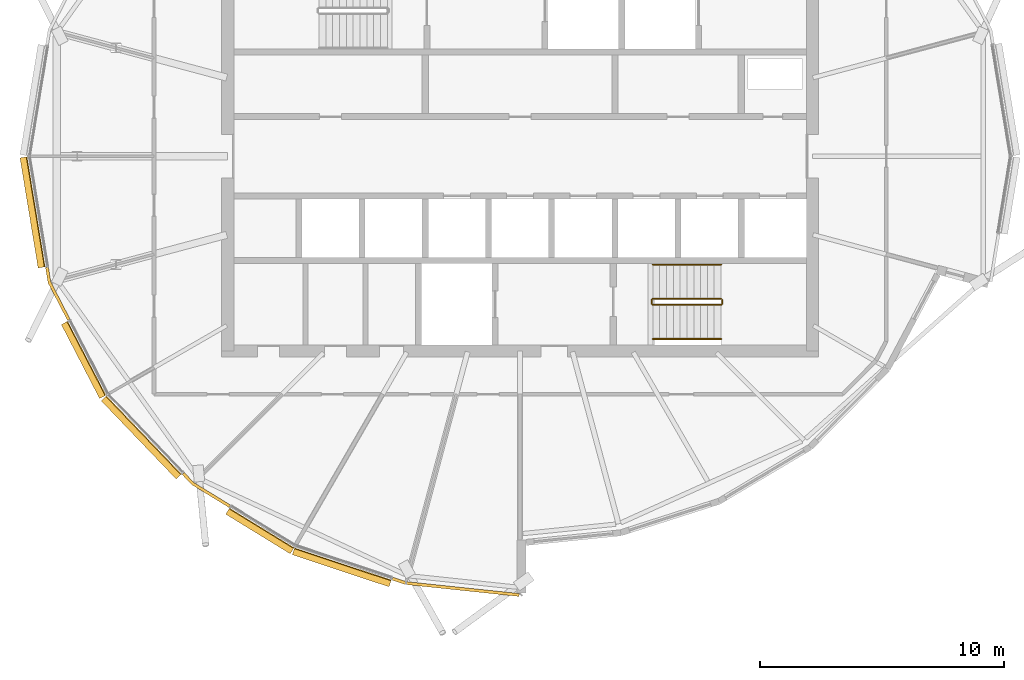
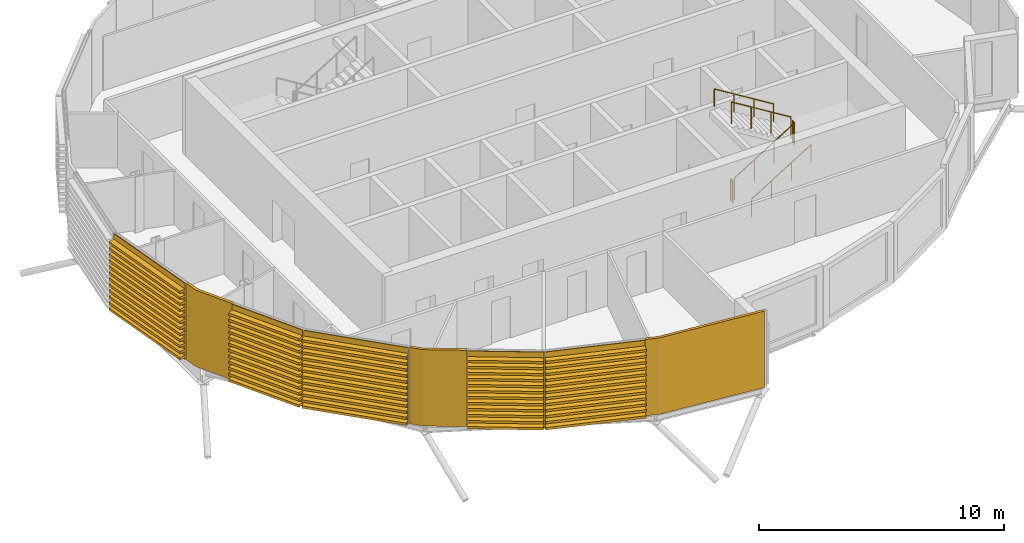
# One storey, part 30 of 34: 8 coverings, 6 railings.
"""IFC4 building model written with IfcOpenShell, lengths in metres."""

from ifc_helpers import new_model, si_unit, direction, frame, origin, origin_2d, place, context, subcontext, project, spatial, polyline, circle, outline, extrude, material, layer, layer_set, material_profile, profile_set, type_object, element, save


model = new_model("IFC4")

# Units and contexts
model_context = context("Model", 3, precision=1e-05, world=origin(), true_north=direction((0.0, 1.0)))
body_context = subcontext(model_context, "Body", "Model", "MODEL_VIEW")
ifc_project = project(units=[si_unit("LENGTHUNIT", "METRE"), si_unit("AREAUNIT", "SQUARE_METRE"), si_unit("VOLUMEUNIT", "CUBIC_METRE"), si_unit("PLANEANGLEUNIT", "RADIAN"), si_unit("MASSUNIT", "GRAM", prefix="KILO")], contexts=[model_context])

# Site, building, storey
site_placement = place(None, origin())
site = spatial("IfcSite", under=ifc_project, at=site_placement, CompositionType="ELEMENT")
building_placement = place(site_placement, origin())
building = spatial("IfcBuilding", under=site, at=building_placement, Name="Rimbun Link Towers", CompositionType="ELEMENT")
storey_placement = place(building_placement, frame((0.0, 0.0, 252.300048828125)))
storey = spatial("IfcBuildingStorey", under=building, at=storey_placement, Name="L62", CompositionType="ELEMENT", Elevation=252.300048828125)

# Coverings
ifc_material_1 = material(Name="Terracotta", Category="masonry")
ifc_layer = layer(ifc_material_1, 0.1201171875)
ifc_layer_set = layer_set([ifc_layer], Name="LINK PIER terracotta cladding 120")
covering_type_1 = type_object("IfcCoveringType", Name="LINK PIER terracotta cladding 120", PredefinedType="CLADDING", material=ifc_layer_set)
covering_1_placement = place(storey_placement, origin())
element("IfcCovering", 1, at=covering_1_placement, inside=storey, type_object=covering_type_1, Name="LINK PIER cladding", PredefinedType="CLADDING", context=body_context, shape_type="SweptSolid", body=[
    extrude(outline(polyline([(-50.21875, -6.688232421875), (-51.009033203125, -5.160400390625), (-51.109619140625, -4.548828125), (-51.22802734375, -4.568115234375), (-51.12451171875, -5.19873046875), (-50.3251953125, -6.7431640625), (-50.21875, -6.688232421875)])), origin(), (0.0, 0.0, 1.0), 3.800048828125),
])
covering_2_placement = place(storey_placement, origin())
element("IfcCovering", 2, at=covering_2_placement, inside=storey, type_object=covering_type_1, Name="LINK PIER cladding", PredefinedType="CLADDING", context=body_context, shape_type="SweptSolid", body=[
    extrude(outline(polyline([(-43.6337890625, -14.318115234375), (-45.14208984375, -13.39208984375), (-45.53662109375, -12.980712890625), (-45.623291015625, -13.063720703125), (-45.218017578125, -13.486328125), (-43.696533203125, -14.42041015625), (-43.6337890625, -14.318115234375)])), origin(), (0.0, 0.0, 1.0), 3.800048828125),
])
covering_3_placement = place(storey_placement, origin())
element("IfcCovering", 3, at=covering_3_placement, inside=storey, type_object=covering_type_1, Name="LINK PIER cladding", PredefinedType="CLADDING", context=body_context, shape_type="SweptSolid", body=[
    extrude(outline(polyline([(-31.77978515625, -17.9501953125), (-36.428466796875, -17.460693359375), (-36.969482421875, -17.28125), (-37.00732421875, -17.395263671875), (-36.453857421875, -17.57861328125), (-31.79248046875, -18.069580078125), (-31.77978515625, -17.9501953125)])), origin(), (0.0, 0.0, 1.0), 3.800048828125),
])

# Railings
ifc_material_2 = material(Name="Stainless steel grade 316", Category="steel")
railing_type_1 = type_object("IfcRailingType", Name="Stair guard", PredefinedType="GUARDRAIL", material=ifc_material_2)
railing_1_placement = place(storey_placement, frame((-26.300048828125, -6.10009765625, 0.172607421875)))
element("IfcRailing", 4, at=railing_1_placement, inside=storey, type_object=railing_type_1, Name="L62 ST2 stair guard 1", PredefinedType="GUARDRAIL", context=body_context, shape_type="SweptSolid", body=[
    extrude(circle(Radius=0.02392578125, at=origin_2d()), frame((0.0, 0.0, 1.076171875), z_axis=(0.851089632645, 0.0, 0.525020415988), x_axis=(0.0, 1.0, 0.0)), (0.0, 0.0, 1.0), 3.2900390625),
    extrude(circle(Radius=0.02099609375, at=origin_2d()), origin(), (0.0, 0.0, 1.0), 1.052001953125),
    extrude(circle(Radius=0.02099609375, at=origin_2d()), frame((0.933349609375, 0.0, 0.57568359375)), (0.0, 0.0, 1.0), 1.052001953125),
    extrude(circle(Radius=0.02099609375, at=origin_2d()), frame((1.86669921875, 0.0, 1.151611328125)), (0.0, 0.0, 1.0), 1.052001953125),
    extrude(circle(Radius=0.02099609375, at=origin_2d()), frame((2.800048828125, 0.0, 1.727294921875)), (0.0, 0.0, 1.0), 1.052001953125),
])
railing_2_placement = place(storey_placement, frame((-23.449951171875, -6.050048828125, 1.89990234375)))
element("IfcRailing", 5, at=railing_2_placement, inside=storey, type_object=railing_type_1, Name="L62 ST2 stair guard 2", PredefinedType="GUARDRAIL", context=body_context, shape_type="SweptSolid", body=[
    extrude(circle(Radius=0.02392578125, at=origin_2d()), frame((0.0, 0.0, 1.076171875), z_axis=(0.0, 1.0, 0.0), x_axis=(-1.0, 0.0, 0.0)), (0.0, 0.0, 1.0), 0.150146484375),
    extrude(circle(Radius=0.02099609375, at=origin_2d()), origin(), (0.0, 0.0, 1.0), 1.052001953125),
    extrude(circle(Radius=0.02099609375, at=origin_2d()), frame((0.0, 0.150146484375, 0.0)), (0.0, 0.0, 1.0), 1.052001953125),
])
railing_3_placement = place(storey_placement, frame((-23.5, -5.85009765625, 2.07275390625)))
element("IfcRailing", 6, at=railing_3_placement, inside=storey, type_object=railing_type_1, Name="L62 ST2 stair guard 3", PredefinedType="GUARDRAIL", context=body_context, shape_type="SweptSolid", body=[
    extrude(circle(Radius=0.02392578125, at=origin_2d()), frame((0.0, 0.0, 1.076171875), z_axis=(-0.851089632645, 0.0, 0.525020415988), x_axis=(0.0, -1.0, 0.0)), (0.0, 0.0, 1.0), 3.2900390625),
    extrude(circle(Radius=0.02099609375, at=origin_2d()), origin(), (0.0, 0.0, 1.0), 1.052001953125),
    extrude(circle(Radius=0.02099609375, at=origin_2d()), frame((-0.933349609375, 0.0, 0.57568359375)), (0.0, 0.0, 1.0), 1.052001953125),
    extrude(circle(Radius=0.02099609375, at=origin_2d()), frame((-1.86669921875, 0.0, 1.151611328125)), (0.0, 0.0, 1.0), 1.052001953125),
    extrude(circle(Radius=0.02099609375, at=origin_2d()), frame((-2.800048828125, 0.0, 1.727294921875)), (0.0, 0.0, 1.0), 1.052001953125),
])
railing_4_placement = place(storey_placement, frame((-26.35009765625, -6.050048828125, 0.0)))
element("IfcRailing", 7, at=railing_4_placement, inside=storey, type_object=railing_type_1, Name="L62 ST2 stair guard 4", PredefinedType="GUARDRAIL", context=body_context, shape_type="SweptSolid", body=[
    extrude(circle(Radius=0.02392578125, at=origin_2d()), frame((0.0, 0.0, 1.076171875), z_axis=(0.0, 1.0, 0.0), x_axis=(-1.0, 0.0, 0.0)), (0.0, 0.0, 1.0), 0.150146484375),
    extrude(circle(Radius=0.02099609375, at=origin_2d()), origin(), (0.0, 0.0, 1.0), 1.052001953125),
    extrude(circle(Radius=0.02099609375, at=origin_2d()), frame((0.0, 0.150146484375, 0.0)), (0.0, 0.0, 1.0), 1.052001953125),
])
ifc_material_3 = material(Name="Stainless steel grade 316", Category="steel")
railing_type_2 = type_object("IfcRailingType", Name="Stair handrail", PredefinedType="HANDRAIL", material=ifc_material_3)
railing_5_placement = place(storey_placement, frame((-26.300048828125, -7.5, 0.172607421875)))
element("IfcRailing", 8, at=railing_5_placement, inside=storey, type_object=railing_type_2, Name="L62 ST2 stair handrail 1", PredefinedType="HANDRAIL", context=body_context, shape_type="SweptSolid", body=[
    extrude(circle(Radius=0.02392578125, at=origin_2d()), frame((0.0, 0.0, 0.8759765625), z_axis=(0.851089632645, 0.0, 0.525020415988), x_axis=(0.0, 1.0, 0.0)), (0.0, 0.0, 1.0), 3.2900390625),
    extrude(circle(Radius=0.02099609375, at=origin_2d()), origin(), (0.0, 0.0, 1.0), 0.851806640625),
    extrude(circle(Radius=0.02099609375, at=origin_2d()), frame((0.933349609375, 0.0, 0.57568359375)), (0.0, 0.0, 1.0), 0.851806640625),
    extrude(circle(Radius=0.02099609375, at=origin_2d()), frame((1.86669921875, 0.0, 1.151611328125)), (0.0, 0.0, 1.0), 0.851806640625),
    extrude(circle(Radius=0.02099609375, at=origin_2d()), frame((2.800048828125, 0.0, 1.727294921875)), (0.0, 0.0, 1.0), 0.851806640625),
])
railing_6_placement = place(storey_placement, frame((-23.5, -4.449951171875, 2.07275390625)))
element("IfcRailing", 9, at=railing_6_placement, inside=storey, type_object=railing_type_2, Name="L62 ST2 stair handrail 2", PredefinedType="HANDRAIL", context=body_context, shape_type="SweptSolid", body=[
    extrude(circle(Radius=0.02392578125, at=origin_2d()), frame((0.0, 0.0, 0.8759765625), z_axis=(-0.851089632645, 0.0, 0.525020415988), x_axis=(0.0, -1.0, 0.0)), (0.0, 0.0, 1.0), 3.2900390625),
    extrude(circle(Radius=0.02099609375, at=origin_2d()), origin(), (0.0, 0.0, 1.0), 0.851806640625),
    extrude(circle(Radius=0.02099609375, at=origin_2d()), frame((-0.933349609375, 0.0, 0.57568359375)), (0.0, 0.0, 1.0), 0.851806640625),
    extrude(circle(Radius=0.02099609375, at=origin_2d()), frame((-1.86669921875, 0.0, 1.151611328125)), (0.0, 0.0, 1.0), 0.851806640625),
    extrude(circle(Radius=0.02099609375, at=origin_2d()), frame((-2.800048828125, 0.0, 1.727294921875)), (0.0, 0.0, 1.0), 0.851806640625),
])

# Coverings
ifc_material_4 = material(Name="Terracotta", Category="masonry")
ifc_material_profile = material_profile(ifc_material_4, outline(polyline([(0.123046875, 0.0), (0.1630859375, 0.0), (0.1630859375, 0.10009765625), (0.423095703125, 0.10009765625), (0.423095703125, 0.219970703125), (0.1630859375, 0.219970703125), (0.1630859375, 0.39990234375), (0.423095703125, 0.39990234375), (0.423095703125, 0.52001953125), (0.1630859375, 0.52001953125), (0.1630859375, 0.699951171875), (0.423095703125, 0.699951171875), (0.423095703125, 0.820068359375), (0.1630859375, 0.820068359375), (0.1630859375, 1.0), (0.423095703125, 1.0), (0.423095703125, 1.1201171875), (0.1630859375, 1.1201171875), (0.1630859375, 1.300048828125), (0.423095703125, 1.300048828125), (0.423095703125, 1.419921875), (0.1630859375, 1.419921875), (0.1630859375, 1.60009765625), (0.423095703125, 1.60009765625), (0.423095703125, 1.719970703125), (0.1630859375, 1.719970703125), (0.1630859375, 1.89990234375), (0.423095703125, 1.89990234375), (0.423095703125, 2.02001953125), (0.1630859375, 2.02001953125), (0.1630859375, 2.199951171875), (0.423095703125, 2.199951171875), (0.423095703125, 2.320068359375), (0.1630859375, 2.320068359375), (0.1630859375, 2.5), (0.423095703125, 2.5), (0.423095703125, 2.6201171875), (0.1630859375, 2.6201171875), (0.1630859375, 2.800048828125), (0.423095703125, 2.800048828125), (0.423095703125, 2.919921875), (0.1630859375, 2.919921875), (0.1630859375, 3.10009765625), (0.423095703125, 3.10009765625), (0.423095703125, 3.219970703125), (0.1630859375, 3.219970703125), (0.1630859375, 3.39990234375), (0.423095703125, 3.39990234375), (0.423095703125, 3.52001953125), (0.1630859375, 3.52001953125), (0.1630859375, 3.800048828125), (0.123046875, 3.800048828125), (0.123046875, 0.0)])), Name="BAGUETTE 120X300")
ifc_profile_set = profile_set([ifc_material_profile], Name="Terracotta")
covering_type_2 = type_object("IfcCoveringType", Name="TERRACOTTA BAGUETTE 120X300 H3800", PredefinedType="CLADDING", material=ifc_profile_set)
covering_4_placement = place(storey_placement, frame((-51.114501953125, -4.51904296875, 0.0), z_axis=(-0.162272015978, 0.986746062992, 0.0), x_axis=(-0.986746062992, -0.162272015978, 0.0)))
element("IfcCovering", 10, at=covering_4_placement, inside=storey, type_object=covering_type_2, Name="TERRACOTTA BAGUETTE", PredefinedType="CLADDING", context=body_context, shape_type="SweptSolid", body=[
    extrude(outline(polyline([(0.123046875, 0.0), (0.1630859375, 0.0), (0.1630859375, 0.10009765625), (0.423095703125, 0.10009765625), (0.423095703125, 0.219970703125), (0.1630859375, 0.219970703125), (0.1630859375, 0.39990234375), (0.423095703125, 0.39990234375), (0.423095703125, 0.52001953125), (0.1630859375, 0.52001953125), (0.1630859375, 0.699951171875), (0.423095703125, 0.699951171875), (0.423095703125, 0.820068359375), (0.1630859375, 0.820068359375), (0.1630859375, 1.0), (0.423095703125, 1.0), (0.423095703125, 1.1201171875), (0.1630859375, 1.1201171875), (0.1630859375, 1.300048828125), (0.423095703125, 1.300048828125), (0.423095703125, 1.419921875), (0.1630859375, 1.419921875), (0.1630859375, 1.60009765625), (0.423095703125, 1.60009765625), (0.423095703125, 1.719970703125), (0.1630859375, 1.719970703125), (0.1630859375, 1.89990234375), (0.423095703125, 1.89990234375), (0.423095703125, 2.02001953125), (0.1630859375, 2.02001953125), (0.1630859375, 2.199951171875), (0.423095703125, 2.199951171875), (0.423095703125, 2.320068359375), (0.1630859375, 2.320068359375), (0.1630859375, 2.5), (0.423095703125, 2.5), (0.423095703125, 2.6201171875), (0.1630859375, 2.6201171875), (0.1630859375, 2.800048828125), (0.423095703125, 2.800048828125), (0.423095703125, 2.919921875), (0.1630859375, 2.919921875), (0.1630859375, 3.10009765625), (0.423095703125, 3.10009765625), (0.423095703125, 3.219970703125), (0.1630859375, 3.219970703125), (0.1630859375, 3.39990234375), (0.423095703125, 3.39990234375), (0.423095703125, 3.52001953125), (0.1630859375, 3.52001953125), (0.1630859375, 3.800048828125), (0.123046875, 3.800048828125), (0.123046875, 0.0)])), origin(), (0.0, 0.0, 1.0), 4.579833984375),
])
covering_5_placement = place(storey_placement, frame((-48.635009765625, -9.74853515625, 0.0), z_axis=(-0.459578465218, 0.888137170885, 0.0), x_axis=(-0.888137170885, -0.459578465218, 0.0)))
element("IfcCovering", 11, at=covering_5_placement, inside=storey, type_object=covering_type_2, Name="TERRACOTTA BAGUETTE", PredefinedType="CLADDING", context=body_context, shape_type="SweptSolid", body=[
    extrude(outline(polyline([(0.123046875, 0.0), (0.1630859375, 0.0), (0.1630859375, 0.10009765625), (0.423095703125, 0.10009765625), (0.423095703125, 0.219970703125), (0.1630859375, 0.219970703125), (0.1630859375, 0.39990234375), (0.423095703125, 0.39990234375), (0.423095703125, 0.52001953125), (0.1630859375, 0.52001953125), (0.1630859375, 0.699951171875), (0.423095703125, 0.699951171875), (0.423095703125, 0.820068359375), (0.1630859375, 0.820068359375), (0.1630859375, 1.0), (0.423095703125, 1.0), (0.423095703125, 1.1201171875), (0.1630859375, 1.1201171875), (0.1630859375, 1.300048828125), (0.423095703125, 1.300048828125), (0.423095703125, 1.419921875), (0.1630859375, 1.419921875), (0.1630859375, 1.60009765625), (0.423095703125, 1.60009765625), (0.423095703125, 1.719970703125), (0.1630859375, 1.719970703125), (0.1630859375, 1.89990234375), (0.423095703125, 1.89990234375), (0.423095703125, 2.02001953125), (0.1630859375, 2.02001953125), (0.1630859375, 2.199951171875), (0.423095703125, 2.199951171875), (0.423095703125, 2.320068359375), (0.1630859375, 2.320068359375), (0.1630859375, 2.5), (0.423095703125, 2.5), (0.423095703125, 2.6201171875), (0.1630859375, 2.6201171875), (0.1630859375, 2.800048828125), (0.423095703125, 2.800048828125), (0.423095703125, 2.919921875), (0.1630859375, 2.919921875), (0.1630859375, 3.10009765625), (0.423095703125, 3.10009765625), (0.423095703125, 3.219970703125), (0.1630859375, 3.219970703125), (0.1630859375, 3.39990234375), (0.423095703125, 3.39990234375), (0.423095703125, 3.52001953125), (0.1630859375, 3.52001953125), (0.1630859375, 3.800048828125), (0.123046875, 3.800048828125), (0.123046875, 0.0)])), origin(), (0.0, 0.0, 1.0), 3.415771484375),
])
covering_6_placement = place(storey_placement, frame((-45.557373046875, -12.958984375, 0.0), z_axis=(-0.692017431912, 0.721880789279, 0.0), x_axis=(-0.721880789279, -0.692017431912, 0.0)))
element("IfcCovering", 12, at=covering_6_placement, inside=storey, type_object=covering_type_2, Name="TERRACOTTA BAGUETTE", PredefinedType="CLADDING", context=body_context, shape_type="SweptSolid", body=[
    extrude(outline(polyline([(0.123046875, 0.0), (0.1630859375, 0.0), (0.1630859375, 0.10009765625), (0.423095703125, 0.10009765625), (0.423095703125, 0.219970703125), (0.1630859375, 0.219970703125), (0.1630859375, 0.39990234375), (0.423095703125, 0.39990234375), (0.423095703125, 0.52001953125), (0.1630859375, 0.52001953125), (0.1630859375, 0.699951171875), (0.423095703125, 0.699951171875), (0.423095703125, 0.820068359375), (0.1630859375, 0.820068359375), (0.1630859375, 1.0), (0.423095703125, 1.0), (0.423095703125, 1.1201171875), (0.1630859375, 1.1201171875), (0.1630859375, 1.300048828125), (0.423095703125, 1.300048828125), (0.423095703125, 1.419921875), (0.1630859375, 1.419921875), (0.1630859375, 1.60009765625), (0.423095703125, 1.60009765625), (0.423095703125, 1.719970703125), (0.1630859375, 1.719970703125), (0.1630859375, 1.89990234375), (0.423095703125, 1.89990234375), (0.423095703125, 2.02001953125), (0.1630859375, 2.02001953125), (0.1630859375, 2.199951171875), (0.423095703125, 2.199951171875), (0.423095703125, 2.320068359375), (0.1630859375, 2.320068359375), (0.1630859375, 2.5), (0.423095703125, 2.5), (0.423095703125, 2.6201171875), (0.1630859375, 2.6201171875), (0.1630859375, 2.800048828125), (0.423095703125, 2.800048828125), (0.423095703125, 2.919921875), (0.1630859375, 2.919921875), (0.1630859375, 3.10009765625), (0.423095703125, 3.10009765625), (0.423095703125, 3.219970703125), (0.1630859375, 3.219970703125), (0.1630859375, 3.39990234375), (0.423095703125, 3.39990234375), (0.423095703125, 3.52001953125), (0.1630859375, 3.52001953125), (0.1630859375, 3.800048828125), (0.123046875, 3.800048828125), (0.123046875, 0.0)])), origin(), (0.0, 0.0, 1.0), 4.447265625),
])
covering_7_placement = place(storey_placement, frame((-40.96337890625, -15.957763671875, 0.0), z_axis=(-0.852200764088, 0.523214924947, 0.0), x_axis=(-0.523214924947, -0.852200764088, 0.0)))
element("IfcCovering", 13, at=covering_7_placement, inside=storey, type_object=covering_type_2, Name="TERRACOTTA BAGUETTE", PredefinedType="CLADDING", context=body_context, shape_type="SweptSolid", body=[
    extrude(outline(polyline([(0.123046875, 0.0), (0.1630859375, 0.0), (0.1630859375, 0.10009765625), (0.423095703125, 0.10009765625), (0.423095703125, 0.219970703125), (0.1630859375, 0.219970703125), (0.1630859375, 0.39990234375), (0.423095703125, 0.39990234375), (0.423095703125, 0.52001953125), (0.1630859375, 0.52001953125), (0.1630859375, 0.699951171875), (0.423095703125, 0.699951171875), (0.423095703125, 0.820068359375), (0.1630859375, 0.820068359375), (0.1630859375, 1.0), (0.423095703125, 1.0), (0.423095703125, 1.1201171875), (0.1630859375, 1.1201171875), (0.1630859375, 1.300048828125), (0.423095703125, 1.300048828125), (0.423095703125, 1.419921875), (0.1630859375, 1.419921875), (0.1630859375, 1.60009765625), (0.423095703125, 1.60009765625), (0.423095703125, 1.719970703125), (0.1630859375, 1.719970703125), (0.1630859375, 1.89990234375), (0.423095703125, 1.89990234375), (0.423095703125, 2.02001953125), (0.1630859375, 2.02001953125), (0.1630859375, 2.199951171875), (0.423095703125, 2.199951171875), (0.423095703125, 2.320068359375), (0.1630859375, 2.320068359375), (0.1630859375, 2.5), (0.423095703125, 2.5), (0.423095703125, 2.6201171875), (0.1630859375, 2.6201171875), (0.1630859375, 2.800048828125), (0.423095703125, 2.800048828125), (0.423095703125, 2.919921875), (0.1630859375, 2.919921875), (0.1630859375, 3.10009765625), (0.423095703125, 3.10009765625), (0.423095703125, 3.219970703125), (0.1630859375, 3.219970703125), (0.1630859375, 3.39990234375), (0.423095703125, 3.39990234375), (0.423095703125, 3.52001953125), (0.1630859375, 3.52001953125), (0.1630859375, 3.800048828125), (0.123046875, 3.800048828125), (0.123046875, 0.0)])), origin(), (0.0, 0.0, 1.0), 3.103515625),
])
covering_8_placement = place(storey_placement, frame((-36.998046875, -17.27197265625, 0.0), z_axis=(-0.949225413379, 0.314596749182, 0.0), x_axis=(-0.314596749182, -0.949225413379, 0.0)))
element("IfcCovering", 14, at=covering_8_placement, inside=storey, type_object=covering_type_2, Name="TERRACOTTA BAGUETTE", PredefinedType="CLADDING", context=body_context, shape_type="SweptSolid", body=[
    extrude(outline(polyline([(0.123046875, 0.0), (0.1630859375, 0.0), (0.1630859375, 0.10009765625), (0.423095703125, 0.10009765625), (0.423095703125, 0.219970703125), (0.1630859375, 0.219970703125), (0.1630859375, 0.39990234375), (0.423095703125, 0.39990234375), (0.423095703125, 0.52001953125), (0.1630859375, 0.52001953125), (0.1630859375, 0.699951171875), (0.423095703125, 0.699951171875), (0.423095703125, 0.820068359375), (0.1630859375, 0.820068359375), (0.1630859375, 1.0), (0.423095703125, 1.0), (0.423095703125, 1.1201171875), (0.1630859375, 1.1201171875), (0.1630859375, 1.300048828125), (0.423095703125, 1.300048828125), (0.423095703125, 1.419921875), (0.1630859375, 1.419921875), (0.1630859375, 1.60009765625), (0.423095703125, 1.60009765625), (0.423095703125, 1.719970703125), (0.1630859375, 1.719970703125), (0.1630859375, 1.89990234375), (0.423095703125, 1.89990234375), (0.423095703125, 2.02001953125), (0.1630859375, 2.02001953125), (0.1630859375, 2.199951171875), (0.423095703125, 2.199951171875), (0.423095703125, 2.320068359375), (0.1630859375, 2.320068359375), (0.1630859375, 2.5), (0.423095703125, 2.5), (0.423095703125, 2.6201171875), (0.1630859375, 2.6201171875), (0.1630859375, 2.800048828125), (0.423095703125, 2.800048828125), (0.423095703125, 2.919921875), (0.1630859375, 2.919921875), (0.1630859375, 3.10009765625), (0.423095703125, 3.10009765625), (0.423095703125, 3.219970703125), (0.1630859375, 3.219970703125), (0.1630859375, 3.39990234375), (0.423095703125, 3.39990234375), (0.423095703125, 3.52001953125), (0.1630859375, 3.52001953125), (0.1630859375, 3.800048828125), (0.123046875, 3.800048828125), (0.123046875, 0.0)])), origin(), (0.0, 0.0, 1.0), 4.177490234375),
])

save(model, "model.ifc")
